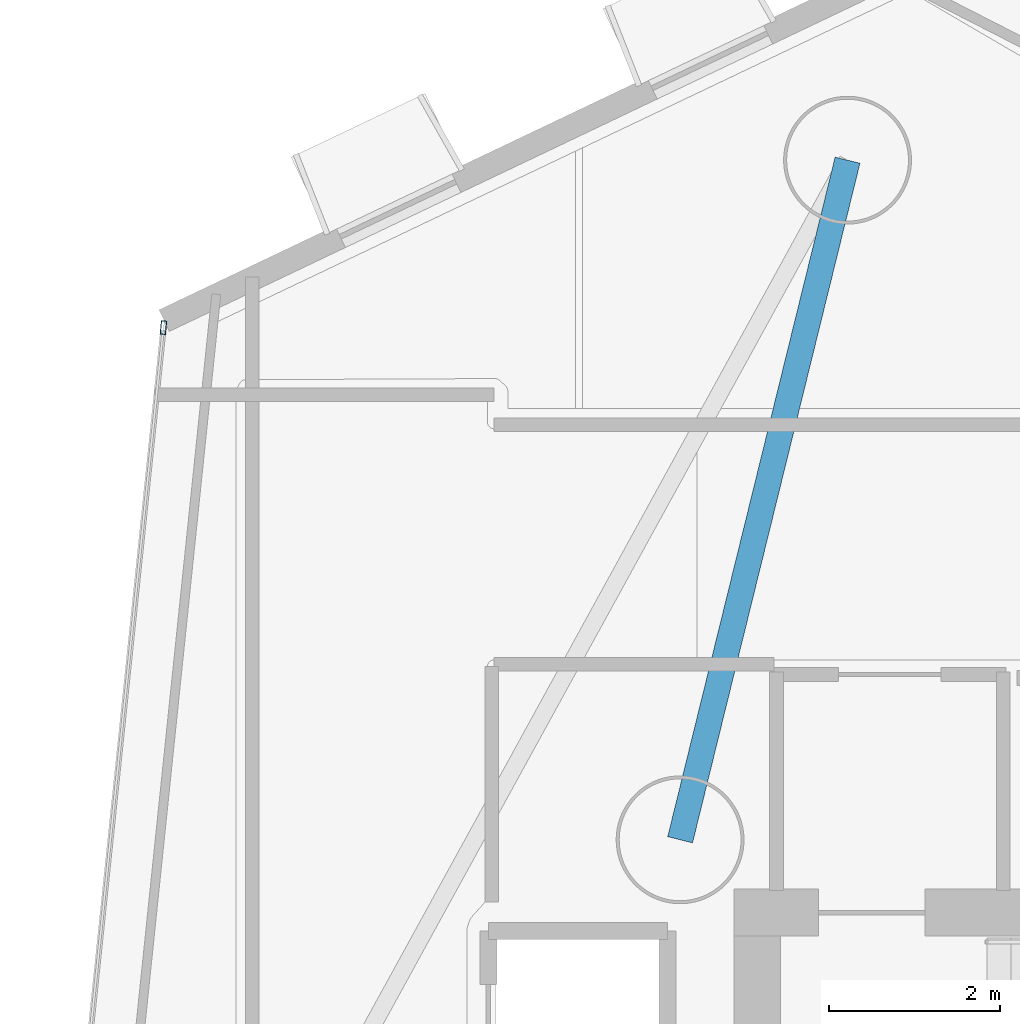
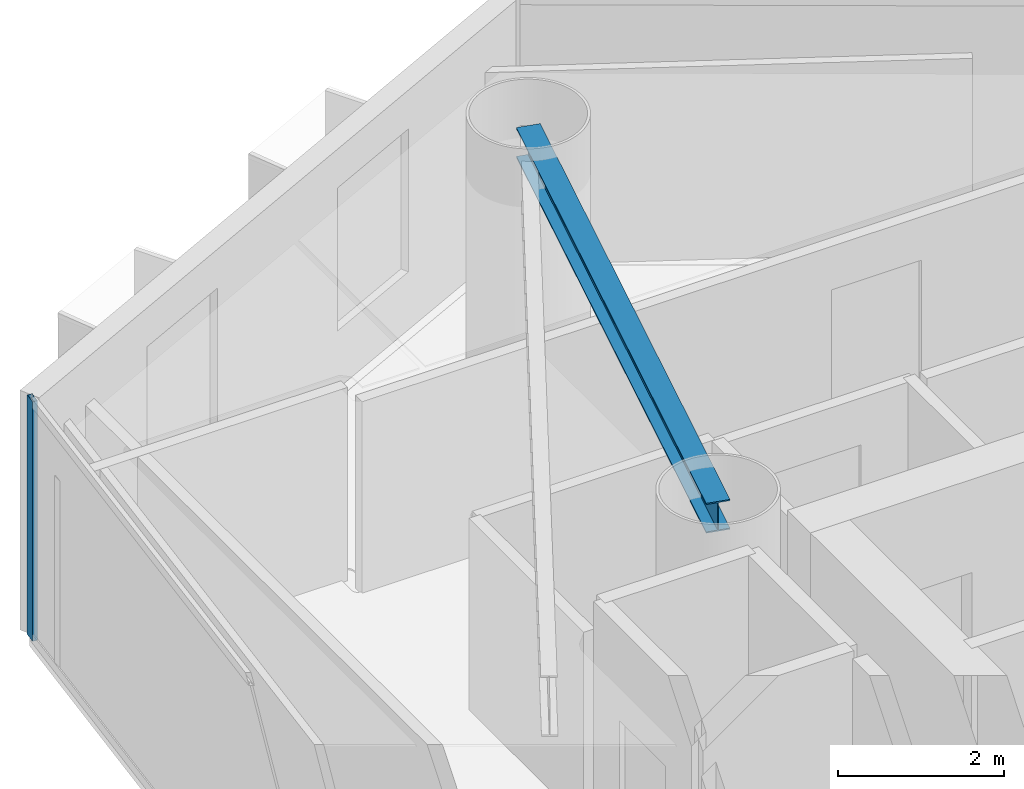
# One storey, part 8 of 19: 1 beam, 1 member, 1 element without a shape of its own.
"""IFC4 building model written with IfcOpenShell, lengths in metres."""

from ifc_helpers import new_model, si_unit, direction, frame, origin, origin_2d, place, context, subcontext, project, spatial, hollow_rectangle, i_section, extrude, material, layer, layer_set, material_profile, profile_set, type_object, element, aggregate, save


model = new_model("IFC4")

# Units and contexts
model_context = context("Model", 3, precision=1e-05, world=origin(), true_north=direction((0.0, 1.0)))
body_context = subcontext(model_context, "Body", "Model", "MODEL_VIEW")
ifc_project = project(units=[si_unit("LENGTHUNIT", "METRE"), si_unit("AREAUNIT", "SQUARE_METRE"), si_unit("VOLUMEUNIT", "CUBIC_METRE"), si_unit("PLANEANGLEUNIT", "RADIAN"), si_unit("MASSUNIT", "GRAM", prefix="KILO")], contexts=[model_context])

# Site, building, storey
site_placement = place(None, origin())
site = spatial("IfcSite", under=ifc_project, at=site_placement, CompositionType="ELEMENT")
building_placement = place(site_placement, origin())
building = spatial("IfcBuilding", under=site, at=building_placement, Name="Qianvela Tower", CompositionType="ELEMENT")
storey_placement = place(building_placement, frame((0.0, 0.0, 120.0)))
storey = spatial("IfcBuildingStorey", under=building, at=storey_placement, Name="L30", CompositionType="ELEMENT", Elevation=120.0)

# Beam
ifc_material_1 = material(Name="Steel Q355B", Category="steel")
ifc_material_profile_1 = material_profile(ifc_material_1, i_section(OverallWidth=0.300048828125, OverallDepth=0.43994140625, WebThickness=0.010986328125, FlangeThickness=0.01806640625, at=origin_2d()), Name="HM440x300x11x18")
ifc_profile_set_1 = profile_set([ifc_material_profile_1], Name="Steel Q355B")
beam_type = type_object("IfcBeamType", Name="BM-HM440-COLL", PredefinedType="BEAM", material=ifc_profile_set_1)
beam_placement = place(storey_placement, frame((28.60009765625, 33.550048828125, 3.298095703125), z_axis=(0.239224384232, 0.970964311388, 0.0), x_axis=(-0.970964311388, 0.239224384232, 0.0)))
element("IfcBeam", 1, at=beam_placement, inside=storey, type_object=beam_type, Name="L30 Perimeter Ring Tie Girder 2B", PredefinedType="BEAM", context=body_context, shape_type="SweptSolid", body=[
    extrude(i_section(OverallWidth=0.300048828125, OverallDepth=0.43994140625, WebThickness=0.010986328125, FlangeThickness=0.01806640625, at=origin_2d()), origin(), (0.0, 0.0, 1.0), 8.209228515625),
])

# Curtain wall, member
ifc_material_2 = material(Name="Anodised Architectural Aluminium and Low-E Glass", Category="aluminium")
ifc_layer = layer(ifc_material_2, 0.169921875)
ifc_layer_set = layer_set([ifc_layer], Name="Anodised Architectural Aluminium and Low-E Glass")
curtain_wall_type = type_object("IfcCurtainWallType", Name="CW-COLIV-Z34", PredefinedType="USERDEFINED", material=ifc_layer_set)
curtain_wall_placement = place(storey_placement, origin())
curtain_wall = element("IfcCurtainWall", 2, at=curtain_wall_placement, inside=storey, type_object=curtain_wall_type, Name="L30 CW-COLIV-Z34 Curtain Wall 04A", ObjectType="CURTAIN_WALL_SYSTEM", PredefinedType="USERDEFINED")
ifc_material_3 = material(Name="Anodised Architectural Aluminium 6063-T6", Category="aluminium")
ifc_material_profile_2 = material_profile(ifc_material_3, hollow_rectangle(XDim=0.06494140625, YDim=0.159912109375, WallThickness=0.0048828125, at=origin_2d()), Name="ALU-MULL-65x160")
ifc_profile_set_2 = profile_set([ifc_material_profile_2], Name="Anodised Architectural Aluminium 6063-T6")
member_type = type_object("IfcMemberType", Name="CW-COLIV-Z34-MULL", PredefinedType="MULLION", material=ifc_profile_set_2)
member_placement = place(storey_placement, frame((22.540283203125, 39.557373046875, 0.0), z_axis=(0.0, 0.0, 1.0), x_axis=(0.994667868218, -0.10313016986, 0.0)))
member = element("IfcMember", 3, at=member_placement, type_object=member_type, Name="CW-4 mullion 1", PredefinedType="MULLION", context=body_context, shape_type="SweptSolid", body=[
    extrude(hollow_rectangle(XDim=0.06494140625, YDim=0.159912109375, WallThickness=0.0048828125, at=origin_2d()), origin(), (0.0, 0.0, 1.0), 3.52001953125),
])
aggregate(curtain_wall, [member])

save(model, "model.ifc")
